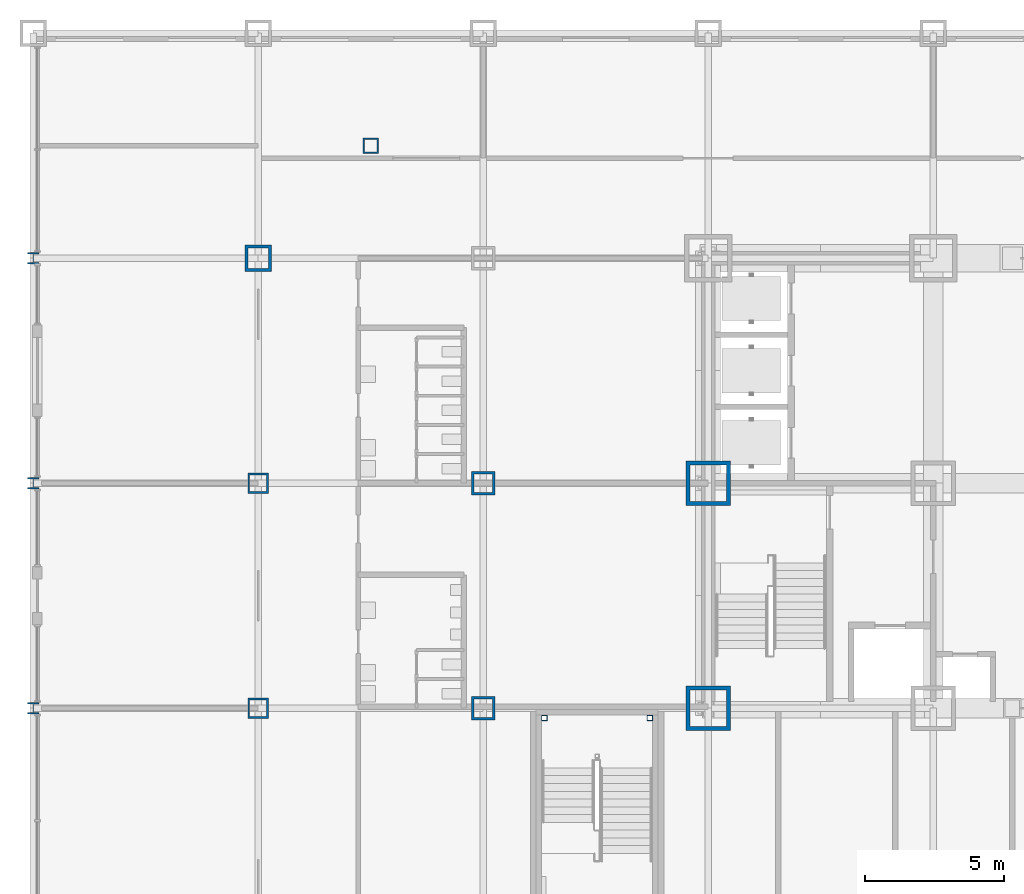
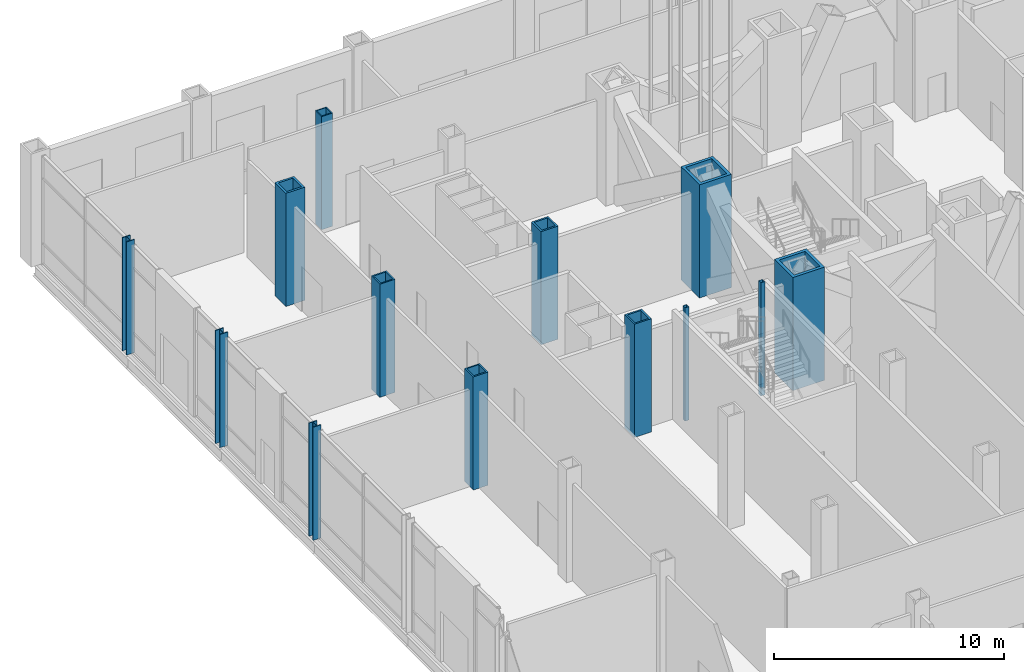
# One storey, part 5 of 35: 13 columns.
"""IFC4 building model written with IfcOpenShell, lengths in metres."""

from ifc_helpers import new_model, si_unit, direction, frame, origin, origin_2d, place, context, subcontext, project, spatial, hollow_rectangle, i_section, extrude, material, material_profile, profile_set, type_object, element, save


model = new_model("IFC4")

# Units and contexts
model_context = context("Model", 3, precision=1e-05, world=origin(), true_north=direction((0.0, 1.0)))
body_context = subcontext(model_context, "Body", "Model", "MODEL_VIEW")
ifc_project = project(units=[si_unit("LENGTHUNIT", "METRE"), si_unit("AREAUNIT", "SQUARE_METRE"), si_unit("VOLUMEUNIT", "CUBIC_METRE"), si_unit("PLANEANGLEUNIT", "RADIAN"), si_unit("MASSUNIT", "GRAM", prefix="KILO")], contexts=[model_context])

# Site, building, storey
site_placement = place(None, origin())
site = spatial("IfcSite", under=ifc_project, at=site_placement, CompositionType="ELEMENT")
building_placement = place(site_placement, origin())
building = spatial("IfcBuilding", under=site, at=building_placement, Name="Kopane Lantern Tower", CompositionType="ELEMENT")
storey_placement = place(building_placement, origin())
storey = spatial("IfcBuildingStorey", under=building, at=storey_placement, Name="L00", CompositionType="ELEMENT", Elevation=0.0)

# Columns
ifc_material_1 = material(Name="Steel S355JR", Category="steel")
ifc_material_profile_1 = material_profile(ifc_material_1, hollow_rectangle(XDim=1.60009765625, YDim=1.60009765625, WallThickness=0.14990234375, at=origin_2d()), Name="BOX 1600x1600x150")
ifc_profile_set_1 = profile_set([ifc_material_profile_1], Name="Steel S355JR")
column_type_1 = type_object("IfcColumnType", Name="COLUMN BOX 1600x1600x150", PredefinedType="COLUMN", material=ifc_profile_set_1)
for number, where, z_axis, x_axis, name in (
    (1, (16.199951171875, 24.300048828125, 0.0), (0.0, 0.0, 1.0), (1.0, 0.0, 0.0), "Column 4/E L00"),
    (2, (16.199951171875, 32.39990234375, 0.0), (0.0, 0.0, 1.0), (1.0, 0.0, 0.0), "Column 4/F L00"),
):
    element("IfcColumn", number, at=place(storey_placement, frame(where, z_axis=z_axis, x_axis=x_axis)), inside=storey, type_object=column_type_1, Name=name, PredefinedType="COLUMN", context=body_context, shape_type="SweptSolid", body=[
        extrude(hollow_rectangle(XDim=1.60009765625, YDim=1.60009765625, WallThickness=0.14990234375, at=origin_2d()), origin(), (0.0, 0.0, 1.0), 6.0),
    ])
ifc_material_2 = material(Name="Steel S355JR", Category="steel")
ifc_material_profile_2 = material_profile(ifc_material_2, hollow_rectangle(XDim=0.550048828125, YDim=0.550048828125, WallThickness=0.050048828125, at=origin_2d()), Name="BOX 550x550x50")
ifc_profile_set_2 = profile_set([ifc_material_profile_2], Name="Steel S355JR")
column_type_2 = type_object("IfcColumnType", Name="COLUMN BOX 550x550x50", PredefinedType="COLUMN", material=ifc_profile_set_2)
column_1_placement = place(storey_placement, frame((4.050048828125, 44.550048828125, 0.0), z_axis=(0.0, 0.0, 1.0), x_axis=(1.0, 0.0, 0.0)))
element("IfcColumn", 3, at=column_1_placement, inside=storey, type_object=column_type_2, Name="Column 4.05/44.55 L00", PredefinedType="COLUMN", context=body_context, shape_type="SweptSolid", body=[
    extrude(hollow_rectangle(XDim=0.550048828125, YDim=0.550048828125, WallThickness=0.050048828125, at=origin_2d()), origin(), (0.0, 0.0, 1.0), 6.0),
])
ifc_material_3 = material(Name="Steel S355JR", Category="steel")
ifc_material_profile_3 = material_profile(ifc_material_3, hollow_rectangle(XDim=0.75, YDim=0.75, WallThickness=0.070068359375, at=origin_2d()), Name="BOX 750x750x70")
ifc_profile_set_3 = profile_set([ifc_material_profile_3], Name="Steel S355JR")
column_type_3 = type_object("IfcColumnType", Name="COLUMN BOX 750x750x70", PredefinedType="COLUMN", material=ifc_profile_set_3)
for number, where, z_axis, x_axis, name in (
    (4, (0.0, 24.300048828125, 0.0), (0.0, 0.0, 1.0), (1.0, 0.0, 0.0), "Column 2/E L00"),
    (5, (0.0, 32.39990234375, 0.0), (0.0, 0.0, 1.0), (1.0, 0.0, 0.0), "Column 2/F L00"),
):
    element("IfcColumn", number, at=place(storey_placement, frame(where, z_axis=z_axis, x_axis=x_axis)), inside=storey, type_object=column_type_3, Name=name, PredefinedType="COLUMN", context=body_context, shape_type="SweptSolid", body=[
        extrude(hollow_rectangle(XDim=0.75, YDim=0.75, WallThickness=0.070068359375, at=origin_2d()), origin(), (0.0, 0.0, 1.0), 6.0),
    ])
ifc_material_4 = material(Name="Steel S355JR", Category="steel")
ifc_material_profile_4 = material_profile(ifc_material_4, hollow_rectangle(XDim=0.85009765625, YDim=0.85009765625, WallThickness=0.0849609375, at=origin_2d()), Name="BOX 850x850x85")
ifc_profile_set_4 = profile_set([ifc_material_profile_4], Name="Steel S355JR")
column_type_4 = type_object("IfcColumnType", Name="COLUMN BOX 850x850x85", PredefinedType="COLUMN", material=ifc_profile_set_4)
for number, where, z_axis, x_axis, name in (
    (6, (8.10009765625, 24.300048828125, 0.0), (0.0, 0.0, 1.0), (1.0, 0.0, 0.0), "Column 3/E L00"),
    (7, (8.10009765625, 32.39990234375, 0.0), (0.0, 0.0, 1.0), (1.0, 0.0, 0.0), "Column 3/F L00"),
):
    element("IfcColumn", number, at=place(storey_placement, frame(where, z_axis=z_axis, x_axis=x_axis)), inside=storey, type_object=column_type_4, Name=name, PredefinedType="COLUMN", context=body_context, shape_type="SweptSolid", body=[
        extrude(hollow_rectangle(XDim=0.85009765625, YDim=0.85009765625, WallThickness=0.0849609375, at=origin_2d()), origin(), (0.0, 0.0, 1.0), 6.0),
    ])
ifc_material_5 = material(Name="Steel S355JR", Category="steel")
ifc_material_profile_5 = material_profile(ifc_material_5, hollow_rectangle(XDim=0.949951171875, YDim=0.949951171875, WallThickness=0.10009765625, at=origin_2d()), Name="BOX 950x950x100")
ifc_profile_set_5 = profile_set([ifc_material_profile_5], Name="Steel S355JR")
column_type_5 = type_object("IfcColumnType", Name="COLUMN BOX 950x950x100", PredefinedType="COLUMN", material=ifc_profile_set_5)
column_2_placement = place(storey_placement, frame((0.0, 40.5, 0.0), z_axis=(0.0, 0.0, 1.0), x_axis=(1.0, 0.0, 0.0)))
element("IfcColumn", 8, at=column_2_placement, inside=storey, type_object=column_type_5, Name="Column 2/G L00", PredefinedType="COLUMN", context=body_context, shape_type="SweptSolid", body=[
    extrude(hollow_rectangle(XDim=0.949951171875, YDim=0.949951171875, WallThickness=0.10009765625, at=origin_2d()), origin(), (0.0, 0.0, 1.0), 6.0),
])
ifc_material_6 = material(Name="Steel S355JR", Category="steel")
ifc_material_profile_6 = material_profile(ifc_material_6, i_section(OverallWidth=0.403076171875, OverallDepth=0.406494140625, WebThickness=0.026611328125, FlangeThickness=0.04296875, FilletRadius=0.01513671875, at=origin_2d()), Name="UC 356x406x340")
ifc_profile_set_6 = profile_set([ifc_material_profile_6], Name="Steel S355JR")
column_type_6 = type_object("IfcColumnType", Name="COLUMN UC 356x406x340", PredefinedType="COLUMN", material=ifc_profile_set_6)
for number, where, z_axis, x_axis, name in (
    (9, (-8.10009765625, 24.300048828125, 0.0), (0.0, 0.0, 1.0), (1.0, 0.0, 0.0), "Column 1/E L00"),
    (10, (-8.10009765625, 32.39990234375, 0.0), (0.0, 0.0, 1.0), (1.0, 0.0, 0.0), "Column 1/F L00"),
    (11, (-8.10009765625, 40.5, 0.0), (0.0, 0.0, 1.0), (1.0, 0.0, 0.0), "Column 1/G L00"),
):
    element("IfcColumn", number, at=place(storey_placement, frame(where, z_axis=z_axis, x_axis=x_axis)), inside=storey, type_object=column_type_6, Name=name, PredefinedType="COLUMN", context=body_context, shape_type="SweptSolid", body=[
        extrude(i_section(OverallWidth=0.403076171875, OverallDepth=0.406494140625, WebThickness=0.026611328125, FlangeThickness=0.04296875, FilletRadius=0.01513671875, at=origin_2d()), origin(), (0.0, 0.0, 1.0), 6.0),
    ])
ifc_material_7 = material(Name="Steel S355JR", Category="steel")
ifc_material_profile_7 = material_profile(ifc_material_7, hollow_rectangle(XDim=0.199951171875, YDim=0.199951171875, WallThickness=0.011962890625, at=origin_2d()), Name="BOX 200x200x12")
ifc_profile_set_7 = profile_set([ifc_material_profile_7], Name="Steel S355JR")
column_type_7 = type_object("IfcColumnType", Name="STAIR POST BOX 200x200x12", PredefinedType="COLUMN", material=ifc_profile_set_7)
for number, where, z_axis, x_axis, name in (
    (12, (10.300048828125, 23.949951171875, 0.0), (0.0, 0.0, 1.0), (1.0, 0.0, 0.0), "Stair post ST3 NW L00"),
    (13, (14.10009765625, 23.949951171875, 0.0), (0.0, 0.0, 1.0), (1.0, 0.0, 0.0), "Stair post ST3 NE L00"),
):
    element("IfcColumn", number, at=place(storey_placement, frame(where, z_axis=z_axis, x_axis=x_axis)), inside=storey, type_object=column_type_7, Name=name, PredefinedType="COLUMN", context=body_context, shape_type="SweptSolid", body=[
        extrude(hollow_rectangle(XDim=0.199951171875, YDim=0.199951171875, WallThickness=0.011962890625, at=origin_2d()), origin(), (0.0, 0.0, 1.0), 6.0),
    ])

save(model, "model.ifc")
